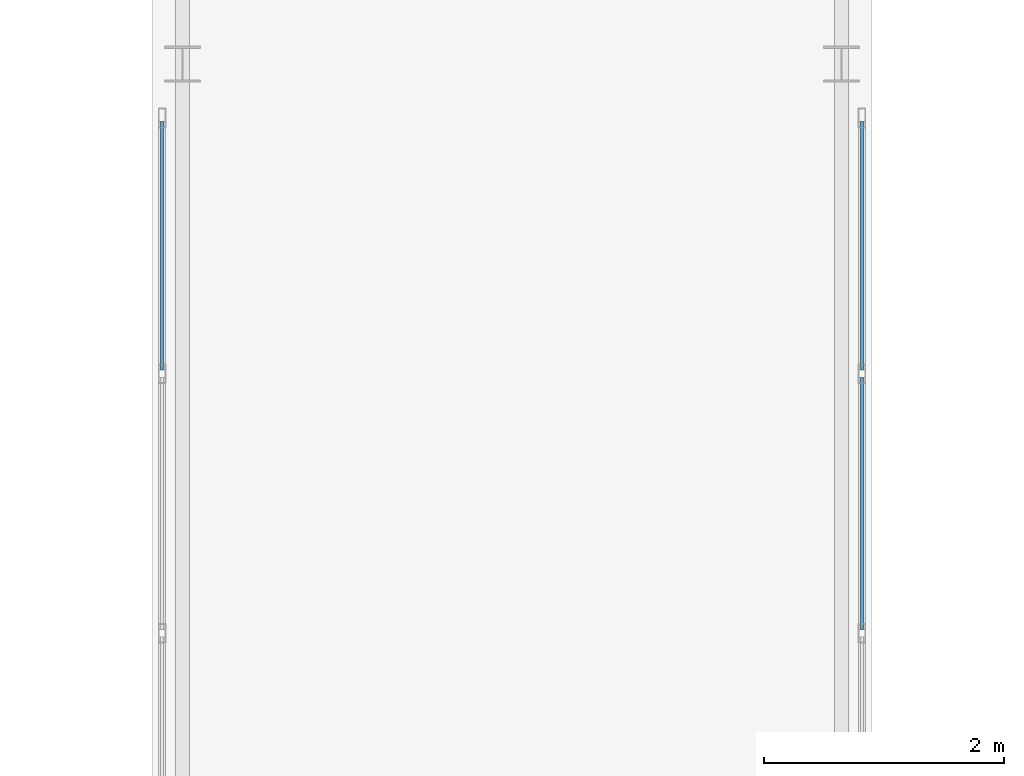
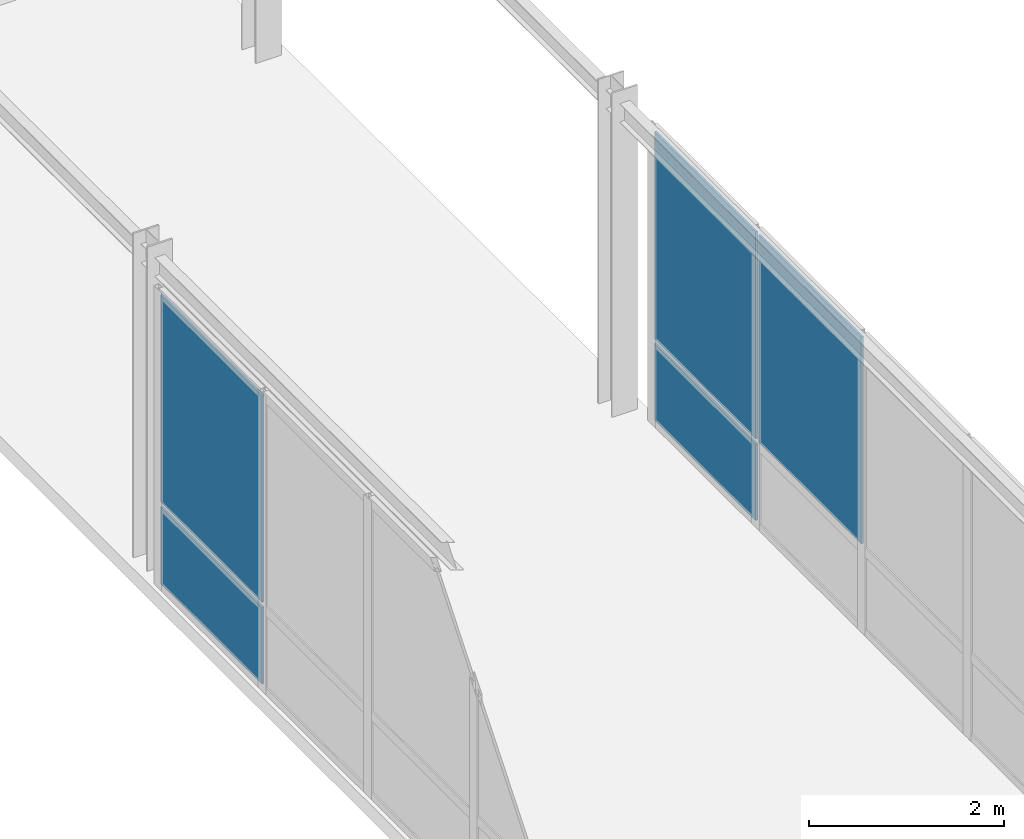
# One storey, part 121 of 165: 5 plates, 2 elements without a shape of their own.
"""IFC4 building model written with IfcOpenShell, lengths in metres."""

from ifc_helpers import new_model, si_unit, direction, frame, origin, origin_2d, place, context, subcontext, project, spatial, rectangle, extrude, material, layer, layer_set, type_object, element, aggregate, save


model = new_model("IFC4")

# Units and contexts
model_context = context("Model", 3, precision=1e-05, world=origin(), true_north=direction((0.0, 1.0)))
body_context = subcontext(model_context, "Body", "Model", "MODEL_VIEW")
ifc_project = project(units=[si_unit("LENGTHUNIT", "METRE"), si_unit("AREAUNIT", "SQUARE_METRE"), si_unit("VOLUMEUNIT", "CUBIC_METRE"), si_unit("PLANEANGLEUNIT", "RADIAN"), si_unit("MASSUNIT", "GRAM", prefix="KILO")], contexts=[model_context])

# Site, building, storey
site_placement = place(None, origin())
site = spatial("IfcSite", under=ifc_project, at=site_placement, CompositionType="ELEMENT")
building_placement = place(site_placement, origin())
building = spatial("IfcBuilding", under=site, at=building_placement, Name="Montecoro Central Library", CompositionType="ELEMENT")
storey_placement = place(building_placement, frame((0.0, 0.0, 5.10009765625)))
storey = spatial("IfcBuildingStorey", under=building, at=storey_placement, Name="L01", CompositionType="ELEMENT", Elevation=5.10009765625)

# Curtain wall, plates
ifc_material_1 = material(Name="Bronze-anodised aluminium and low-E glazing", Category="aluminium")
ifc_layer_1 = layer(ifc_material_1, 0.159912109375)
ifc_layer_set_1 = layer_set([ifc_layer_1], Name="Bronze-anodised aluminium and low-E glazing")
curtain_wall_type = type_object("IfcCurtainWallType", Name="CWT-080", PredefinedType="NOTDEFINED", material=ifc_layer_set_1)
curtain_wall_1_placement = place(storey_placement, origin())
curtain_wall_1 = element("IfcCurtainWall", 1, at=curtain_wall_1_placement, inside=storey, type_object=curtain_wall_type, Name="BR-W-L01-CW-W2", PredefinedType="NOTDEFINED")
ifc_material_2 = material(Name="Laminated low-E double glazing", Category="glass")
ifc_layer_2 = layer(ifc_material_2, 0.02587890625)
ifc_layer_set_2 = layer_set([ifc_layer_2], Name="Laminated low-E double glazing")
plate_type = type_object("IfcPlateType", Name="CWP-GLZ-01", PredefinedType="CURTAIN_PANEL", material=ifc_layer_set_2)
plate_1_placement = place(storey_placement, frame((24.8798828125, 62.382568359375, 0.059814453125), z_axis=(0.0, 0.0, 1.0), x_axis=(0.0, 1.0, 0.0)))
plate_1 = element("IfcPlate", 2, at=plate_1_placement, type_object=plate_type, Name="CW-080 panel 4.1", PredefinedType="CURTAIN_PANEL", context=body_context, shape_type="SweptSolid", body=[
    extrude(rectangle(XDim=2.074951171875, YDim=0.02587890625, at=origin_2d()), origin(), (0.0, 0.0, 1.0), 0.9599609375),
])
plate_2_placement = place(storey_placement, frame((24.8798828125, 62.382568359375, 1.080078125), z_axis=(0.0, 0.0, 1.0), x_axis=(0.0, 1.0, 0.0)))
plate_2 = element("IfcPlate", 3, at=plate_2_placement, type_object=plate_type, Name="CW-080 panel 4.2", PredefinedType="CURTAIN_PANEL", context=body_context, shape_type="SweptSolid", body=[
    extrude(rectangle(XDim=2.074951171875, YDim=0.02587890625, at=origin_2d()), origin(), (0.0, 0.0, 1.0), 2.590087890625),
])
aggregate(curtain_wall_1, [plate_1, plate_2])

curtain_wall_2_placement = place(storey_placement, origin())
curtain_wall_2 = element("IfcCurtainWall", 4, at=curtain_wall_2_placement, inside=storey, type_object=curtain_wall_type, Name="BR-W-L01-CW-E2", PredefinedType="NOTDEFINED")
plate_3_placement = place(storey_placement, frame((30.719970703125, 60.232421875, 1.080078125), z_axis=(0.0, 0.0, 1.0), x_axis=(0.0, 1.0, 0.0)))
plate_3 = element("IfcPlate", 5, at=plate_3_placement, type_object=plate_type, Name="CW-080 panel 3.2", PredefinedType="CURTAIN_PANEL", context=body_context, shape_type="SweptSolid", body=[
    extrude(rectangle(XDim=2.10498046875, YDim=0.02587890625, at=origin_2d()), origin(), (0.0, 0.0, 1.0), 2.590087890625),
])
plate_4_placement = place(storey_placement, frame((30.719970703125, 62.382568359375, 0.059814453125), z_axis=(0.0, 0.0, 1.0), x_axis=(0.0, 1.0, 0.0)))
plate_4 = element("IfcPlate", 6, at=plate_4_placement, type_object=plate_type, Name="CW-080 panel 4.1", PredefinedType="CURTAIN_PANEL", context=body_context, shape_type="SweptSolid", body=[
    extrude(rectangle(XDim=2.074951171875, YDim=0.02587890625, at=origin_2d()), origin(), (0.0, 0.0, 1.0), 0.9599609375),
])
plate_5_placement = place(storey_placement, frame((30.719970703125, 62.382568359375, 1.080078125), z_axis=(0.0, 0.0, 1.0), x_axis=(0.0, 1.0, 0.0)))
plate_5 = element("IfcPlate", 7, at=plate_5_placement, type_object=plate_type, Name="CW-080 panel 4.2", PredefinedType="CURTAIN_PANEL", context=body_context, shape_type="SweptSolid", body=[
    extrude(rectangle(XDim=2.074951171875, YDim=0.02587890625, at=origin_2d()), origin(), (0.0, 0.0, 1.0), 2.590087890625),
])
aggregate(curtain_wall_2, [plate_3, plate_4, plate_5])

save(model, "model.ifc")
